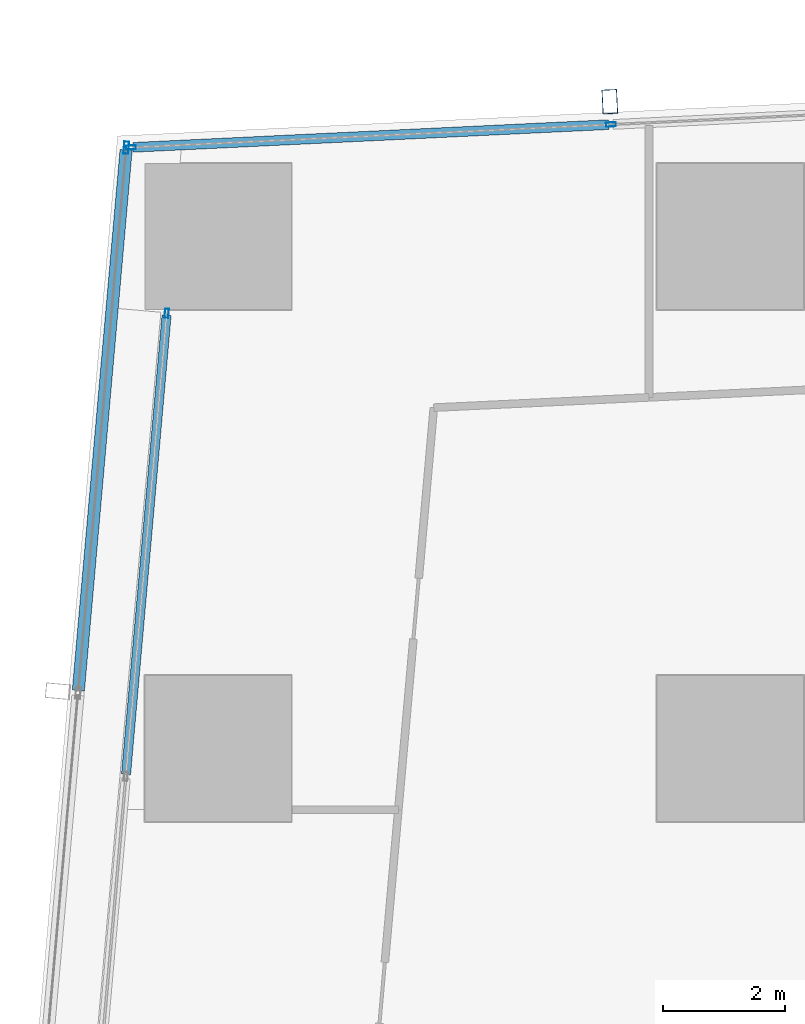
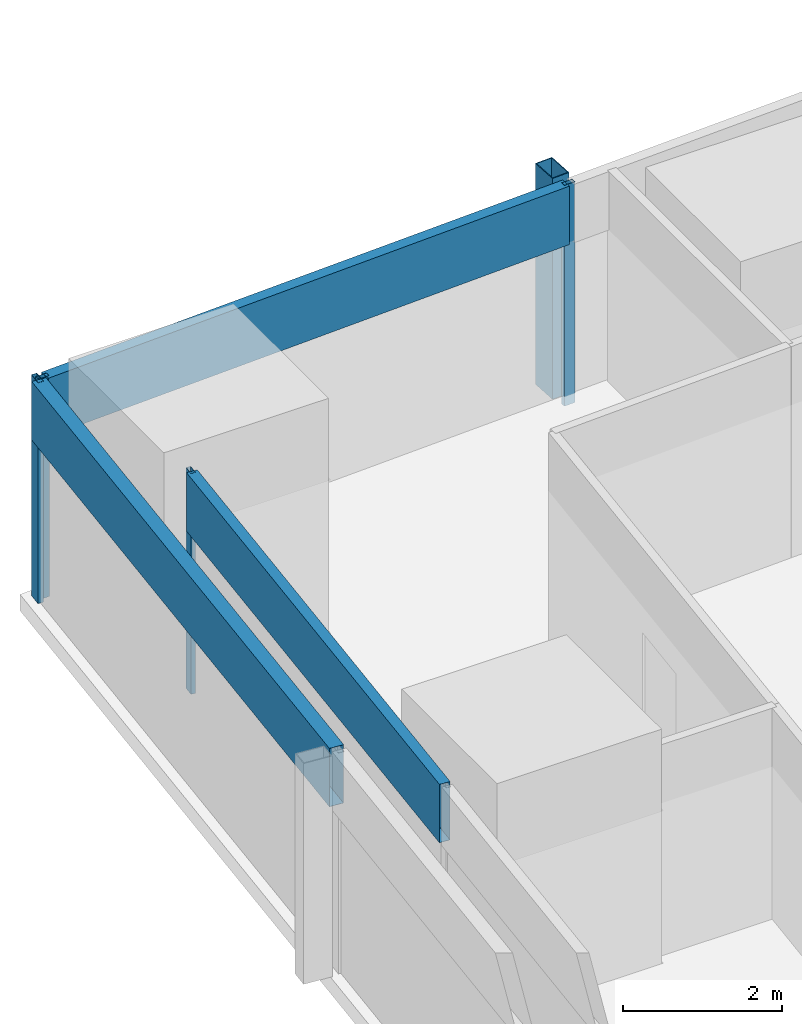
# One storey, part 13 of 34: 8 members, 3 elements without a shape of their own.
"""IFC4 building model written with IfcOpenShell, lengths in metres."""

from ifc_helpers import new_model, si_unit, direction, frame, origin, origin_2d, place, context, subcontext, project, spatial, hollow_rectangle, extrude, material, material_profile, profile_set, type_object, element, aggregate, save


model = new_model("IFC4")

# Units and contexts
model_context = context("Model", 3, precision=1e-05, world=origin(), true_north=direction((0.0, 1.0)))
body_context = subcontext(model_context, "Body", "Model", "MODEL_VIEW")
ifc_project = project(units=[si_unit("LENGTHUNIT", "METRE"), si_unit("AREAUNIT", "SQUARE_METRE"), si_unit("VOLUMEUNIT", "CUBIC_METRE"), si_unit("PLANEANGLEUNIT", "RADIAN"), si_unit("MASSUNIT", "GRAM", prefix="KILO")], contexts=[model_context])

# Site, building, storey
site_placement = place(None, origin())
site = spatial("IfcSite", under=ifc_project, at=site_placement, CompositionType="ELEMENT")
building_placement = place(site_placement, origin())
building = spatial("IfcBuilding", under=site, at=building_placement, Name="Rekha Terrace Tower", CompositionType="ELEMENT")
storey_placement = place(building_placement, frame((0.0, 0.0, 236.449951171875)))
storey = spatial("IfcBuildingStorey", under=building, at=storey_placement, Name="L60", CompositionType="ELEMENT", Elevation=236.449951171875)

# Curtain wall, member
ifc_material_1 = material(Name="Aluminium framing", Category="aluminium")
curtain_wall_type_1 = type_object("IfcCurtainWallType", Name="CW3 north unitised glazing", PredefinedType="USERDEFINED", material=ifc_material_1)
curtain_wall_1_placement = place(storey_placement, origin())
curtain_wall_1 = element("IfcCurtainWall", 1, at=curtain_wall_1_placement, inside=storey, type_object=curtain_wall_type_1, Name="CW3 unitised curtain wall", ObjectType="UNITISED CURTAIN WALL", PredefinedType="USERDEFINED")
ifc_material_2 = material(Name="Steel S355 with fluorocarbon finish", Category="steel")
ifc_material_profile_1 = material_profile(ifc_material_2, hollow_rectangle(XDim=0.25, YDim=0.39990234375, WallThickness=0.012451171875, at=origin_2d()), Name="RHS400x250x12.5")
ifc_profile_set_1 = profile_set([ifc_material_profile_1], Name="Steel S355 with fluorocarbon finish")
member_type_1 = type_object("IfcMemberType", Name="BL1 facade blade RHS 400 x 250", PredefinedType="USERDEFINED", material=ifc_profile_set_1)
member_1_placement = place(storey_placement, frame((14.824951171875, 61.01123046875, 0.0), z_axis=(0.0, 0.0, 1.0), x_axis=(-0.998858913274, -0.04775846913, 0.0)))
member_1 = element("IfcMember", 2, at=member_1_placement, type_object=member_type_1, Name="Facade blade", ObjectType="FACADE BLADE", PredefinedType="USERDEFINED", context=body_context, shape_type="SweptSolid", body=[
    extrude(hollow_rectangle(XDim=0.25, YDim=0.39990234375, WallThickness=0.012451171875, at=origin_2d()), origin(), (0.0, 0.0, 1.0), 3.400146484375),
])

# Curtain wall, members
curtain_wall_type_2 = type_object("IfcCurtainWallType", Name="CW1 double skin inner glazing", PredefinedType="USERDEFINED", material=ifc_material_1)
curtain_wall_2_placement = place(storey_placement, origin())
curtain_wall_2 = element("IfcCurtainWall", 3, at=curtain_wall_2_placement, inside=storey, type_object=curtain_wall_type_2, Name="CW1 double skin inner glazing", ObjectType="DOUBLE SKIN INNER GLAZING", PredefinedType="USERDEFINED")
ifc_material_3 = material(Name="Aluminium mullion section", Category="aluminium")
ifc_material_profile_2 = material_profile(ifc_material_3, hollow_rectangle(XDim=0.06494140625, YDim=0.14990234375, WallThickness=0.00390625, at=origin_2d()), Name="AL RHS 65x150")
ifc_profile_set_2 = profile_set([ifc_material_profile_2], Name="Aluminium mullion section")
member_type_2 = type_object("IfcMemberType", Name="CW1 mullion RHS 65 x 150", PredefinedType="MULLION", material=ifc_profile_set_2)
member_2_placement = place(storey_placement, frame((7.55712890625, 57.539306640625, 0.0), z_axis=(0.0, 0.0, 1.0), x_axis=(0.996124185427, -0.087957985471, 0.0)))
member_2 = element("IfcMember", 4, at=member_2_placement, type_object=member_type_2, Name="CW1 mullion 1", PredefinedType="MULLION", context=body_context, shape_type="SweptSolid", body=[
    extrude(hollow_rectangle(XDim=0.06494140625, YDim=0.14990234375, WallThickness=0.00390625, at=origin_2d()), origin(), (0.0, 0.0, 1.0), 3.400146484375),
])
ifc_material_4 = material(Name="Insulated aluminium spandrel box", Category="aluminium")
ifc_material_profile_3 = material_profile(ifc_material_4, hollow_rectangle(XDim=0.14990234375, YDim=0.89990234375, WallThickness=0.0029296875, at=origin_2d()), Name="AL SPANDREL BOX 150x900")
ifc_profile_set_3 = profile_set([ifc_material_profile_3], Name="Insulated aluminium spandrel box")
member_type_3 = type_object("IfcMemberType", Name="CW1 spandrel transom 150 x 900", PredefinedType="USERDEFINED", material=ifc_profile_set_3)
member_3_placement = place(storey_placement, frame((7.55419921875, 57.507080078125, 2.949951171875), z_axis=(-0.087956005103, -0.996124360292, 0.0), x_axis=(0.996124360292, -0.087956005103, 0.0)))
member_3 = element("IfcMember", 5, at=member_3_placement, type_object=member_type_3, Name="CW1 spandrel transom 1", ObjectType="TRANSOM", PredefinedType="USERDEFINED", context=body_context, shape_type="SweptSolid", body=[
    extrude(hollow_rectangle(XDim=0.14990234375, YDim=0.89990234375, WallThickness=0.0029296875, at=origin_2d()), origin(), (0.0, 0.0, 1.0), 7.56103515625),
])
aggregate(curtain_wall_2, [member_2, member_3])

curtain_wall_type_3 = type_object("IfcCurtainWallType", Name="CW2 double skin outer glazing", PredefinedType="USERDEFINED", material=ifc_material_1)
curtain_wall_3_placement = place(storey_placement, origin())
curtain_wall_3 = element("IfcCurtainWall", 6, at=curtain_wall_3_placement, inside=storey, type_object=curtain_wall_type_3, Name="CW2 double skin outer glazing", ObjectType="DOUBLE SKIN OUTER GLAZING", PredefinedType="USERDEFINED")
ifc_material_profile_4 = material_profile(ifc_material_3, hollow_rectangle(XDim=0.080078125, YDim=0.199951171875, WallThickness=0.00390625, at=origin_2d()), Name="AL RHS 80x200")
ifc_profile_set_4 = profile_set([ifc_material_profile_4], Name="Aluminium mullion section")
member_type_4 = type_object("IfcMemberType", Name="CW2 mullion RHS 80 x 200", PredefinedType="MULLION", material=ifc_profile_set_4)
member_4_placement = place(storey_placement, frame((6.8935546875, 60.257080078125, 0.0), z_axis=(0.0, 0.0, 1.0), x_axis=(0.996124185428, -0.087957985453, 0.0)))
member_4 = element("IfcMember", 7, at=member_4_placement, type_object=member_type_4, Name="CW2 mullion 1", PredefinedType="MULLION", context=body_context, shape_type="SweptSolid", body=[
    extrude(hollow_rectangle(XDim=0.080078125, YDim=0.199951171875, WallThickness=0.00390625, at=origin_2d()), origin(), (0.0, 0.0, 1.0), 3.400146484375),
])
ifc_material_profile_5 = material_profile(ifc_material_4, hollow_rectangle(XDim=0.199951171875, YDim=0.89990234375, WallThickness=0.0029296875, at=origin_2d()), Name="AL SPANDREL BOX 200x900")
ifc_profile_set_5 = profile_set([ifc_material_profile_5], Name="Insulated aluminium spandrel box")
member_type_5 = type_object("IfcMemberType", Name="CW2 spandrel transom 200 x 900", PredefinedType="USERDEFINED", material=ifc_profile_set_5)
member_5_placement = place(storey_placement, frame((6.89013671875, 60.217041015625, 2.949951171875), z_axis=(-0.08797787529, -0.996122428951, 0.0), x_axis=(0.996122428951, -0.08797787529, 0.0)))
member_5 = element("IfcMember", 8, at=member_5_placement, type_object=member_type_5, Name="CW2 spandrel transom 1", ObjectType="TRANSOM", PredefinedType="USERDEFINED", context=body_context, shape_type="SweptSolid", body=[
    extrude(hollow_rectangle(XDim=0.199951171875, YDim=0.89990234375, WallThickness=0.0029296875, at=origin_2d()), origin(), (0.0, 0.0, 1.0), 8.8994140625),
])
aggregate(curtain_wall_3, [member_4, member_5])

# Member
ifc_material_profile_6 = material_profile(ifc_material_3, hollow_rectangle(XDim=0.070068359375, YDim=0.159912109375, WallThickness=0.00390625, at=origin_2d()), Name="AL RHS 70x160")
ifc_profile_set_6 = profile_set([ifc_material_profile_6], Name="Aluminium mullion section")
member_type_6 = type_object("IfcMemberType", Name="CW3 mullion RHS 70 x 160", PredefinedType="MULLION", material=ifc_profile_set_6)
member_6_placement = place(storey_placement, frame((14.843017578125, 60.63671875, 0.0), z_axis=(0.0, 0.0, 1.0), x_axis=(0.047758616983, -0.998858906204, 0.0)))
member_6 = element("IfcMember", 9, at=member_6_placement, type_object=member_type_6, Name="CW3 mullion 5", PredefinedType="MULLION", context=body_context, shape_type="SweptSolid", body=[
    extrude(hollow_rectangle(XDim=0.070068359375, YDim=0.159912109375, WallThickness=0.00390625, at=origin_2d()), origin(), (0.0, 0.0, 1.0), 3.400146484375),
])

member_7_placement = place(storey_placement, frame((6.96875, 60.26025390625, 0.0), z_axis=(0.0, 0.0, 1.0), x_axis=(0.047758616983, -0.998858906204, 0.0)))
member_7 = element("IfcMember", 10, at=member_7_placement, type_object=member_type_6, Name="CW3 mullion 6", PredefinedType="MULLION", context=body_context, shape_type="SweptSolid", body=[
    extrude(hollow_rectangle(XDim=0.070068359375, YDim=0.159912109375, WallThickness=0.00390625, at=origin_2d()), origin(), (0.0, 0.0, 1.0), 3.400146484375),
])

ifc_material_profile_7 = material_profile(ifc_material_4, hollow_rectangle(XDim=0.159912109375, YDim=0.89990234375, WallThickness=0.0029296875, at=origin_2d()), Name="AL SPANDREL BOX 160x900")
ifc_profile_set_7 = profile_set([ifc_material_profile_7], Name="Insulated aluminium spandrel box")
member_type_7 = type_object("IfcMemberType", Name="CW3 spandrel transom 160 x 900", PredefinedType="USERDEFINED", material=ifc_profile_set_7)
member_8_placement = place(storey_placement, frame((14.807861328125, 60.635009765625, 2.949951171875), z_axis=(-0.998859425172, -0.047747761666, 0.0), x_axis=(0.047747761666, -0.998859425172, 0.0)))
member_8 = element("IfcMember", 11, at=member_8_placement, type_object=member_type_7, Name="CW3 spandrel transom 5", ObjectType="TRANSOM", PredefinedType="USERDEFINED", context=body_context, shape_type="SweptSolid", body=[
    extrude(hollow_rectangle(XDim=0.159912109375, YDim=0.89990234375, WallThickness=0.0029296875, at=origin_2d()), origin(), (0.0, 0.0, 1.0), 7.81298828125),
])

aggregate(curtain_wall_1, [member_6, member_7, member_8, member_1])

save(model, "model.ifc")
